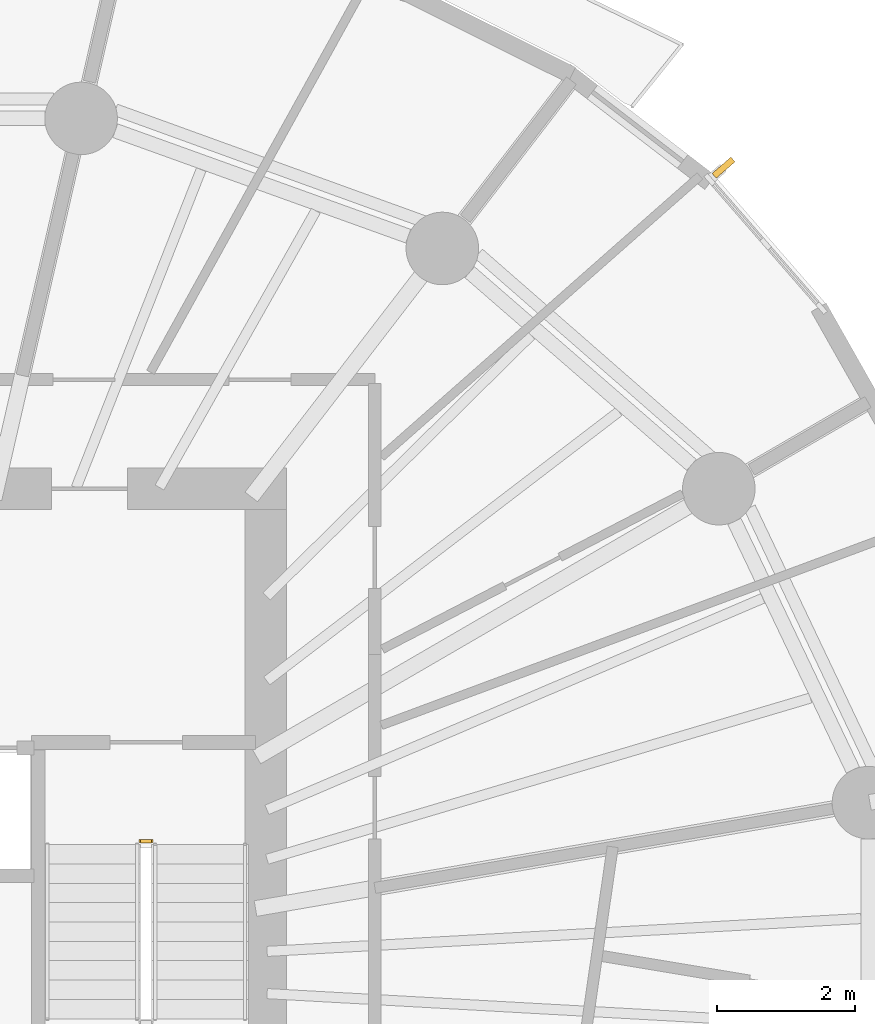
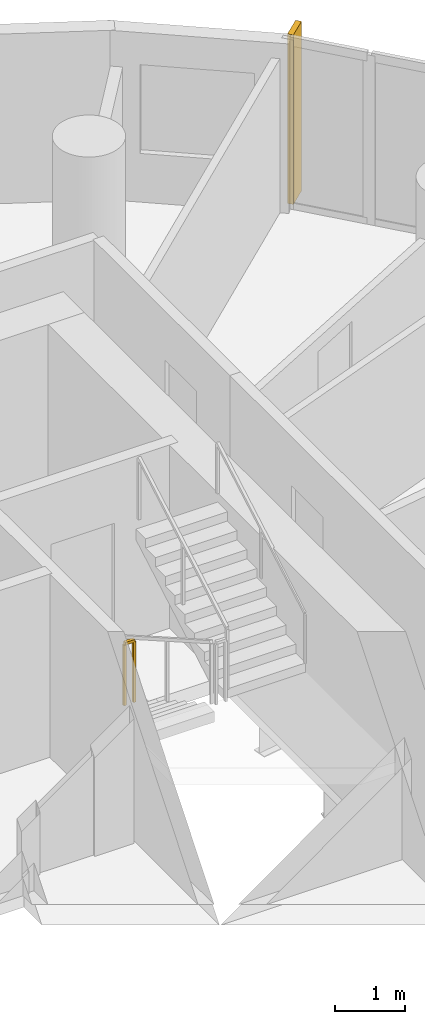
# One storey, part 12 of 12: 1 railing, 1 shading device.
"""IFC4 building model written with IfcOpenShell, lengths in metres."""

from ifc_helpers import new_model, si_unit, direction, frame, origin, origin_2d, place, context, subcontext, project, spatial, rectangle, extrude, material, layer, layer_set, type_object, element, save


model = new_model("IFC4")

# Units and contexts
model_context = context("Model", 3, precision=1e-05, world=origin(), true_north=direction((0.0, 1.0)))
body_context = subcontext(model_context, "Body", "Model", "MODEL_VIEW")
ifc_project = project(units=[si_unit("LENGTHUNIT", "METRE"), si_unit("AREAUNIT", "SQUARE_METRE"), si_unit("VOLUMEUNIT", "CUBIC_METRE"), si_unit("PLANEANGLEUNIT", "RADIAN"), si_unit("MASSUNIT", "GRAM", prefix="KILO")], contexts=[model_context])

# Site, building, storey
site_placement = place(None, origin())
site = spatial("IfcSite", under=ifc_project, at=site_placement, CompositionType="ELEMENT")
building_placement = place(site_placement, origin())
building = spatial("IfcBuilding", under=site, at=building_placement, Name="Veldorim Arch Residences", CompositionType="ELEMENT")
storey_placement = place(building_placement, frame((0.0, 0.0, 148.9599609375)))
storey = spatial("IfcBuildingStorey", under=building, at=storey_placement, Name="L44", CompositionType="ELEMENT", Elevation=148.9599609375)

# Railing
ifc_material_1 = material(Name="Steel S355", Category="steel")
railing_type = type_object("IfcRailingType", Name="Galvanised Steel Stair Safety Guardrail 1100", PredefinedType="GUARDRAIL", material=ifc_material_1)
railing_placement = place(storey_placement, frame((35.68994140625, 25.89990234375, 0.0)))
element("IfcRailing", 1, at=railing_placement, inside=storey, type_object=railing_type, Name="L44 ST-2 stair guard 4", PredefinedType="GUARDRAIL", context=body_context, shape_type="SweptSolid", body=[
    extrude(rectangle(XDim=0.048095703125, YDim=0.048095703125, at=origin_2d()), frame((0.0, 0.0, 1.076171875), z_axis=(1.0, 0.0, 0.0), x_axis=(0.0, 1.0, 0.0)), (0.0, 0.0, 1.0), 0.16015625),
    extrude(rectangle(XDim=0.0419921875, YDim=0.0419921875, at=origin_2d()), origin(), (0.0, 0.0, 1.0), 1.052001953125),
    extrude(rectangle(XDim=0.0419921875, YDim=0.0419921875, at=origin_2d()), frame((0.16015625, 0.0, 0.0)), (0.0, 0.0, 1.0), 1.052001953125),
])

# Shading device
ifc_material_2 = material(Name="Terracotta Ceramic", Category="masonry")
ifc_layer = layer(ifc_material_2, 0.090087890625, Name="Vertical Extruded Terracotta Baguette Sun-Shading Fin")
ifc_layer_set = layer_set([ifc_layer], Name="Terracotta Ceramic")
shading_device_type = type_object("IfcShadingDeviceType", Name="Vertical Extruded Terracotta Baguette Sun-Shading Fin", PredefinedType="USERDEFINED", material=ifc_layer_set)
shading_device_placement = place(storey_placement, frame((44.12451171875, 35.6455078125, 0.0), z_axis=(0.0, 0.0, 1.0), x_axis=(0.656454104053, -0.75436596508, 0.0)))
element("IfcShadingDevice", 2, at=shading_device_placement, inside=storey, type_object=shading_device_type, Name="L44 vertical terracotta sun-shading fin 01", ObjectType="FIN", PredefinedType="USERDEFINED", context=body_context, shape_type="SweptSolid", body=[
    extrude(rectangle(XDim=0.090087890625, YDim=0.360107421875, at=origin_2d()), origin(), (0.0, 0.0, 1.0), 2.9599609375),
])

save(model, "model.ifc")
